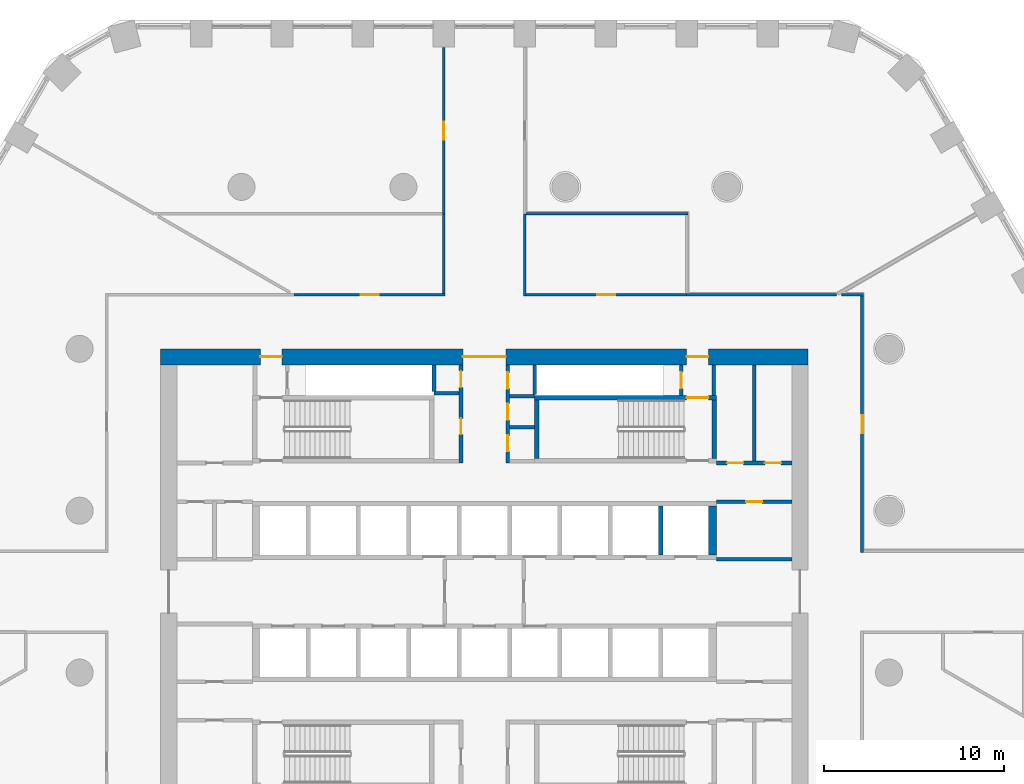
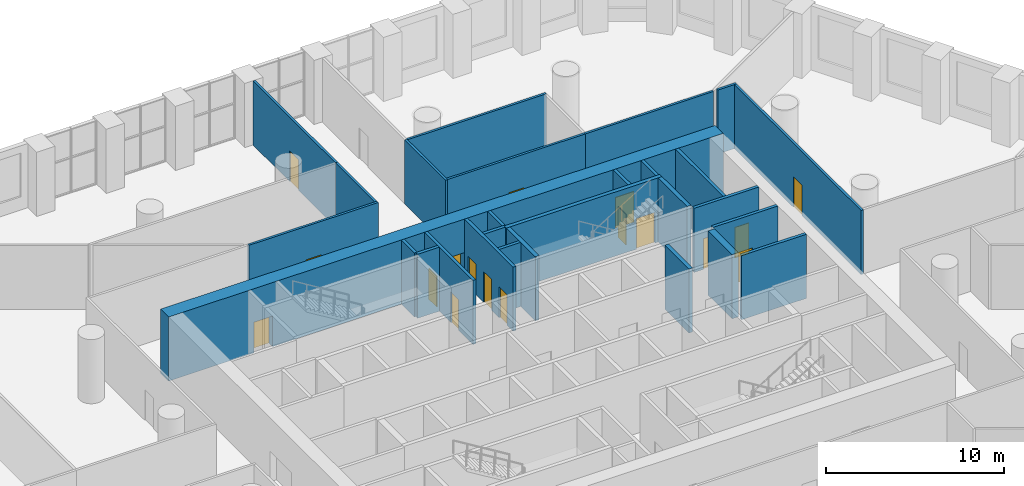
# One storey, part 11 of 26: 28 walls, 17 doors, 17 openings.
"""IFC4 building model written with IfcOpenShell, lengths in metres."""

from ifc_helpers import new_model, si_unit, direction, frame, frame_2d, origin, place, context, subcontext, project, spatial, polyline, rectangle, outline, extrude, material, layer, layer_set, type_object, element, fill, save


model = new_model("IFC4")

# Units and contexts
model_context = context("Model", 3, precision=1e-05, world=origin(), true_north=direction((0.0, 1.0)))
body_context = subcontext(model_context, "Body", "Model", "MODEL_VIEW")
ifc_project = project(units=[si_unit("LENGTHUNIT", "METRE"), si_unit("AREAUNIT", "SQUARE_METRE"), si_unit("VOLUMEUNIT", "CUBIC_METRE"), si_unit("PLANEANGLEUNIT", "RADIAN"), si_unit("MASSUNIT", "GRAM", prefix="KILO")], contexts=[model_context])

# Site, building, storey
site_placement = place(None, origin())
site = spatial("IfcSite", under=ifc_project, at=site_placement, CompositionType="ELEMENT")
building_placement = place(site_placement, origin())
building = spatial("IfcBuilding", under=site, at=building_placement, Name="Dhurran Vertical Campus", CompositionType="ELEMENT")
storey_placement = place(building_placement, frame((0.0, 0.0, 15.60009765625)))
storey = spatial("IfcBuildingStorey", under=building, at=storey_placement, Name="L03", CompositionType="ELEMENT", Elevation=15.60009765625)

# Wall, openings, doors
ifc_material_1 = material(Name="Concrete C60/75", Category="concrete")
ifc_layer_1 = layer(ifc_material_1, 0.89990234375)
ifc_layer_set_1 = layer_set([ifc_layer_1], Name="Concrete C60/75")
wall_type_1 = type_object("IfcWallType", Name="co-CORE-WALL-C0-900", PredefinedType="SHEAR", material=ifc_layer_set_1)
wall_1_placement = place(storey_placement, frame((-18.0, 13.050048828125, 0.0), z_axis=(0.0, 0.0, 1.0), x_axis=(1.0, 0.0, 0.0)))
wall_1 = element("IfcWall", 1, at=wall_1_placement, inside=storey, type_object=wall_type_1, Name="Core wall N L03", PredefinedType="SHEAR", context=body_context, shape_type="SweptSolid", body=[
    extrude(rectangle(XDim=36.0, YDim=0.89990234375, at=frame_2d((18.0, 0.0))), origin(), (0.0, 0.0, 1.0), 4.39990234375),
])
opening_1_placement = place(wall_1_placement, frame((16.800048828125, 0.0, 0.0)))
opening_1 = element("IfcOpeningElement", 2, at=opening_1_placement, cuts=wall_1, Name="Opening CV1", PredefinedType="OPENING", context=body_context, shape_type="SweptSolid", body=[
    extrude(rectangle(XDim=2.39990234375, YDim=2.10009765625, at=frame_2d((1.199951171875, 1.050048828125))), frame((0.0, 0.4599609375, 0.0), z_axis=(0.0, -1.0, 0.0), x_axis=(1.0, 0.0, 0.0)), (0.0, 0.0, 1.0), 0.919921875),
])
opening_2_placement = place(wall_1_placement, frame((5.550048828125, 0.0, 0.0)))
opening_2 = element("IfcOpeningElement", 3, at=opening_2_placement, cuts=wall_1, Name="Opening XD1", PredefinedType="OPENING", context=body_context, shape_type="SweptSolid", body=[
    extrude(rectangle(XDim=1.199951171875, YDim=2.10009765625, at=frame_2d((0.60009765625, 1.050048828125))), frame((0.0, 0.4599609375, 0.0), z_axis=(0.0, -1.0, 0.0), x_axis=(1.0, 0.0, 0.0)), (0.0, 0.0, 1.0), 0.919921875),
])
opening_3_placement = place(wall_1_placement, frame((29.25, 0.0, 0.0)))
opening_3 = element("IfcOpeningElement", 4, at=opening_3_placement, cuts=wall_1, Name="Opening XD2", PredefinedType="OPENING", context=body_context, shape_type="SweptSolid", body=[
    extrude(rectangle(XDim=1.199951171875, YDim=2.10009765625, at=frame_2d((0.60009765625, 1.050048828125))), frame((0.0, 0.4599609375, 0.0), z_axis=(0.0, -1.0, 0.0), x_axis=(1.0, 0.0, 0.0)), (0.0, 0.0, 1.0), 0.919921875),
])
ifc_material_2 = material(Name="Fire-rated glazed door set")
door_type_1 = type_object("IfcDoorType", Name="co-D-LOBBY 2400x2100", OperationType="DOUBLE_DOOR_DOUBLE_SWING", PredefinedType="DOOR", material=ifc_material_2)
door_1_placement = place(opening_1_placement, origin())
door_1 = element("IfcDoor", 5, at=door_1_placement, inside=storey, type_object=door_type_1, Name="Core vestibule door N L03", OperationType="DOUBLE_DOOR_DOUBLE_SWING", OverallHeight=2.10009765625, OverallWidth=2.39990234375, PredefinedType="DOOR", context=body_context, shape_type="SweptSolid", body=[
    extrude(rectangle(XDim=2.39990234375, YDim=2.10009765625, at=frame_2d((1.199951171875, 1.050048828125))), frame((0.0, 0.02490234375, 0.0), z_axis=(0.0, -1.0, 0.0), x_axis=(1.0, 0.0, 0.0)), (0.0, 0.0, 1.0), 0.050048828125),
])
fill(opening_1, door_1)
ifc_material_3 = material(Name="Fire-rated steel door set", Category="steel")
door_type_2 = type_object("IfcDoorType", Name="co-D-STAIR-EXIT 1200x2100", OperationType="SINGLE_SWING_RIGHT", PredefinedType="DOOR", material=ifc_material_3)
door_2_placement = place(opening_2_placement, origin())
door_2 = element("IfcDoor", 6, at=door_2_placement, inside=storey, type_object=door_type_2, Name="Stair ST1 exit door L03", OperationType="SINGLE_SWING_RIGHT", OverallHeight=2.10009765625, OverallWidth=1.199951171875, PredefinedType="DOOR", context=body_context, shape_type="SweptSolid", body=[
    extrude(rectangle(XDim=1.199951171875, YDim=2.10009765625, at=frame_2d((0.60009765625, 1.050048828125))), frame((0.0, 0.02490234375, 0.0), z_axis=(0.0, -1.0, 0.0), x_axis=(1.0, 0.0, 0.0)), (0.0, 0.0, 1.0), 0.050048828125),
])
fill(opening_2, door_2)
door_3_placement = place(opening_3_placement, origin())
door_3 = element("IfcDoor", 7, at=door_3_placement, inside=storey, type_object=door_type_2, Name="Stair ST2 exit door L03", OperationType="SINGLE_SWING_RIGHT", OverallHeight=2.10009765625, OverallWidth=1.199951171875, PredefinedType="DOOR", context=body_context, shape_type="SweptSolid", body=[
    extrude(rectangle(XDim=1.199951171875, YDim=2.10009765625, at=frame_2d((0.60009765625, 1.050048828125))), frame((0.0, 0.02490234375, 0.0), z_axis=(0.0, -1.0, 0.0), x_axis=(1.0, 0.0, 0.0)), (0.0, 0.0, 1.0), 0.050048828125),
])
fill(opening_3, door_3)

# Walls
ifc_material_4 = material(Name="Fire-rated masonry blockwork", Category="masonry")
ifc_layer_2 = layer(ifc_material_4, 0.199951171875)
ifc_layer_set_2 = layer_set([ifc_layer_2], Name="Fire-rated masonry blockwork")
wall_type_2 = type_object("IfcWallType", Name="co-FIRE-PARTITION-200", PredefinedType="PARTITIONING", material=ifc_layer_set_2)
for number, where, z_axis, x_axis, name in (
    (8, (-2.800048828125, 11.02490234375, 0.0), (0.0, 0.0, 1.0), (1.0, 0.0, 0.0), "Core partition sl-NW-cut0 L03"),
    (9, (1.39990234375, 9.135009765625, 0.0), (0.0, 0.0, 1.0), (1.0, 0.0, 0.0), "Core partition sl-NE-cut0 L03"),
    (10, (1.39990234375, 10.867431640625, 0.0), (0.0, 0.0, 1.0), (1.0, 0.0, 0.0), "Core partition sl-NE-cut1 L03"),
):
    element("IfcWall", number, at=place(storey_placement, frame(where, z_axis=z_axis, x_axis=x_axis)), inside=storey, type_object=wall_type_2, Name=name, PredefinedType="PARTITIONING", context=body_context, shape_type="SweptSolid", body=[
        extrude(rectangle(XDim=1.400146484375, YDim=0.199951171875, at=frame_2d((0.7001953125, 0.0))), origin(), (0.0, 0.0, 1.0), 4.39990234375),
    ])

# Wall, openings, doors
wall_2_placement = place(storey_placement, frame((-1.300048828125, 7.14990234375, 0.0), z_axis=(0.0, 0.0, 1.0), x_axis=(0.0, 1.0, 0.0)))
wall_2 = element("IfcWall", 11, at=wall_2_placement, inside=storey, type_object=wall_type_2, Name="Core partition vest-NW L03", PredefinedType="PARTITIONING", context=body_context, shape_type="SweptSolid", body=[
    extrude(rectangle(XDim=5.4501953125, YDim=0.199951171875, at=frame_2d((2.72509765625, 0.0))), origin(), (0.0, 0.0, 1.0), 4.39990234375),
])
opening_4_placement = place(wall_2_placement, frame((1.58740234375, 0.0, 0.0)))
opening_4 = element("IfcOpeningElement", 12, at=opening_4_placement, cuts=wall_2, Name="Opening PD03-C5", PredefinedType="OPENING", context=body_context, shape_type="SweptSolid", body=[
    extrude(rectangle(XDim=0.89990234375, YDim=2.10009765625, at=frame_2d((0.449951171875, 1.050048828125))), frame((0.0, 0.10986328125, 0.0), z_axis=(0.0, -1.0, 0.0), x_axis=(1.0, 0.0, 0.0)), (0.0, 0.0, 1.0), 0.219970703125),
])
opening_5_placement = place(wall_2_placement, frame((4.21240234375, 0.0, 0.0)))
opening_5 = element("IfcOpeningElement", 13, at=opening_5_placement, cuts=wall_2, Name="Opening PD03-C6", PredefinedType="OPENING", context=body_context, shape_type="SweptSolid", body=[
    extrude(rectangle(XDim=0.89990234375, YDim=2.10009765625, at=frame_2d((0.449951171875, 1.050048828125))), frame((0.0, 0.10986328125, 0.0), z_axis=(0.0, -1.0, 0.0), x_axis=(1.0, 0.0, 0.0)), (0.0, 0.0, 1.0), 0.219970703125),
])
ifc_material_5 = material(Name="Fire-rated timber door set", Category="wood")
door_type_3 = type_object("IfcDoorType", Name="co-D-ROOM 900x2100", OperationType="SINGLE_SWING_LEFT", PredefinedType="DOOR", material=ifc_material_5)
door_4_placement = place(opening_4_placement, origin())
door_4 = element("IfcDoor", 14, at=door_4_placement, inside=storey, type_object=door_type_3, Name="Pantry door L03", OperationType="SINGLE_SWING_LEFT", OverallHeight=2.10009765625, OverallWidth=0.89990234375, PredefinedType="DOOR", context=body_context, shape_type="SweptSolid", body=[
    extrude(rectangle(XDim=0.89990234375, YDim=2.10009765625, at=frame_2d((0.449951171875, 1.050048828125))), frame((0.0, 0.02490234375, 0.0), z_axis=(0.0, -1.0, 0.0), x_axis=(1.0, 0.0, 0.0)), (0.0, 0.0, 1.0), 0.050048828125),
])
fill(opening_4, door_4)
door_5_placement = place(opening_5_placement, origin())
door_5 = element("IfcDoor", 15, at=door_5_placement, inside=storey, type_object=door_type_3, Name="Cleaner's store door L03", OperationType="SINGLE_SWING_LEFT", OverallHeight=2.10009765625, OverallWidth=0.89990234375, PredefinedType="DOOR", context=body_context, shape_type="SweptSolid", body=[
    extrude(rectangle(XDim=0.89990234375, YDim=2.10009765625, at=frame_2d((0.449951171875, 1.050048828125))), frame((0.0, 0.02490234375, 0.0), z_axis=(0.0, -1.0, 0.0), x_axis=(1.0, 0.0, 0.0)), (0.0, 0.0, 1.0), 0.050048828125),
])
fill(opening_5, door_5)

wall_3_placement = place(storey_placement, frame((1.300048828125, 7.14990234375, 0.0), z_axis=(0.0, 0.0, 1.0), x_axis=(0.0, 1.0, 0.0)))
wall_3 = element("IfcWall", 16, at=wall_3_placement, inside=storey, type_object=wall_type_2, Name="Core partition vest-NE L03", PredefinedType="PARTITIONING", context=body_context, shape_type="SweptSolid", body=[
    extrude(rectangle(XDim=5.4501953125, YDim=0.199951171875, at=frame_2d((2.72509765625, 0.0))), origin(), (0.0, 0.0, 1.0), 4.39990234375),
])
opening_6_placement = place(wall_3_placement, frame((0.642578125, 0.0, 0.0)))
opening_6 = element("IfcOpeningElement", 17, at=opening_6_placement, cuts=wall_3, Name="Opening PD03-C7", PredefinedType="OPENING", context=body_context, shape_type="SweptSolid", body=[
    extrude(rectangle(XDim=0.89990234375, YDim=2.10009765625, at=frame_2d((0.449951171875, 1.050048828125))), frame((0.0, 0.10986328125, 0.0), z_axis=(0.0, -1.0, 0.0), x_axis=(1.0, 0.0, 0.0)), (0.0, 0.0, 1.0), 0.219970703125),
])
opening_7_placement = place(wall_3_placement, frame((2.401123046875, 0.0, 0.0)))
opening_7 = element("IfcOpeningElement", 18, at=opening_7_placement, cuts=wall_3, Name="Opening PD03-C8", PredefinedType="OPENING", context=body_context, shape_type="SweptSolid", body=[
    extrude(rectangle(XDim=0.89990234375, YDim=2.10009765625, at=frame_2d((0.449951171875, 1.050048828125))), frame((0.0, 0.10986328125, 0.0), z_axis=(0.0, -1.0, 0.0), x_axis=(1.0, 0.0, 0.0)), (0.0, 0.0, 1.0), 0.219970703125),
])
opening_8_placement = place(wall_3_placement, frame((4.1337890625, 0.0, 0.0)))
opening_8 = element("IfcOpeningElement", 19, at=opening_8_placement, cuts=wall_3, Name="Opening PD03-C9", PredefinedType="OPENING", context=body_context, shape_type="SweptSolid", body=[
    extrude(rectangle(XDim=0.89990234375, YDim=2.10009765625, at=frame_2d((0.449951171875, 1.050048828125))), frame((0.0, 0.10986328125, 0.0), z_axis=(0.0, -1.0, 0.0), x_axis=(1.0, 0.0, 0.0)), (0.0, 0.0, 1.0), 0.219970703125),
])
door_6_placement = place(opening_6_placement, origin())
door_6 = element("IfcDoor", 20, at=door_6_placement, inside=storey, type_object=door_type_3, Name="Housekeeping store door L03", OperationType="SINGLE_SWING_LEFT", OverallHeight=2.10009765625, OverallWidth=0.89990234375, PredefinedType="DOOR", context=body_context, shape_type="SweptSolid", body=[
    extrude(rectangle(XDim=0.89990234375, YDim=2.10009765625, at=frame_2d((0.449951171875, 1.050048828125))), frame((0.0, 0.02490234375, 0.0), z_axis=(0.0, -1.0, 0.0), x_axis=(1.0, 0.0, 0.0)), (0.0, 0.0, 1.0), 0.050048828125),
])
fill(opening_6, door_6)
door_7_placement = place(opening_7_placement, origin())
door_7 = element("IfcDoor", 21, at=door_7_placement, inside=storey, type_object=door_type_3, Name="Fire equipment store door L03", OperationType="SINGLE_SWING_LEFT", OverallHeight=2.10009765625, OverallWidth=0.89990234375, PredefinedType="DOOR", context=body_context, shape_type="SweptSolid", body=[
    extrude(rectangle(XDim=0.89990234375, YDim=2.10009765625, at=frame_2d((0.449951171875, 1.050048828125))), frame((0.0, 0.02490234375, 0.0), z_axis=(0.0, -1.0, 0.0), x_axis=(1.0, 0.0, 0.0)), (0.0, 0.0, 1.0), 0.050048828125),
])
fill(opening_7, door_7)
door_8_placement = place(opening_8_placement, origin())
door_8 = element("IfcDoor", 22, at=door_8_placement, inside=storey, type_object=door_type_3, Name="Water riser door L03", OperationType="SINGLE_SWING_LEFT", OverallHeight=2.10009765625, OverallWidth=0.89990234375, PredefinedType="DOOR", context=body_context, shape_type="SweptSolid", body=[
    extrude(rectangle(XDim=0.89990234375, YDim=2.10009765625, at=frame_2d((0.449951171875, 1.050048828125))), frame((0.0, 0.02490234375, 0.0), z_axis=(0.0, -1.0, 0.0), x_axis=(1.0, 0.0, 0.0)), (0.0, 0.0, 1.0), 0.050048828125),
])
fill(opening_8, door_8)

# Wall
wall_4_placement = place(storey_placement, frame((12.75, 10.89990234375, 0.0), z_axis=(0.0, 0.0, 1.0), x_axis=(0.0, 1.0, 0.0)))
element("IfcWall", 23, at=wall_4_placement, inside=storey, type_object=wall_type_2, Name="Core partition pass-ST2-o L03", PredefinedType="PARTITIONING", context=body_context, shape_type="SweptSolid", body=[
    extrude(rectangle(XDim=1.7001953125, YDim=0.199951171875, at=frame_2d((0.85009765625, 0.0))), origin(), (0.0, 0.0, 1.0), 4.39990234375),
])

# Wall, opening, door
wall_5_placement = place(storey_placement, frame((10.949951171875, 10.89990234375, 0.0), z_axis=(0.0, 0.0, 1.0), x_axis=(0.0, 1.0, 0.0)))
wall_5 = element("IfcWall", 24, at=wall_5_placement, inside=storey, type_object=wall_type_2, Name="Core partition pass-ST2-i L03", PredefinedType="PARTITIONING", context=body_context, shape_type="SweptSolid", body=[
    extrude(rectangle(XDim=1.7001953125, YDim=0.199951171875, at=frame_2d((0.85009765625, 0.0))), origin(), (0.0, 0.0, 1.0), 4.39990234375),
])
opening_9_placement = place(wall_5_placement, frame((0.39990234375, 0.0, 0.0)))
opening_9 = element("IfcOpeningElement", 25, at=opening_9_placement, cuts=wall_5, Name="Opening PD03-C11", PredefinedType="OPENING", context=body_context, shape_type="SweptSolid", body=[
    extrude(rectangle(XDim=0.89990234375, YDim=2.10009765625, at=frame_2d((0.449951171875, 1.050048828125))), frame((0.0, 0.10986328125, 0.0), z_axis=(0.0, -1.0, 0.0), x_axis=(1.0, 0.0, 0.0)), (0.0, 0.0, 1.0), 0.219970703125),
])
door_9_placement = place(opening_9_placement, origin())
door_9 = element("IfcDoor", 26, at=door_9_placement, inside=storey, type_object=door_type_3, Name="Riser room door L03", OperationType="SINGLE_SWING_LEFT", OverallHeight=2.10009765625, OverallWidth=0.89990234375, PredefinedType="DOOR", context=body_context, shape_type="SweptSolid", body=[
    extrude(rectangle(XDim=0.89990234375, YDim=2.10009765625, at=frame_2d((0.449951171875, 1.050048828125))), frame((0.0, 0.02490234375, 0.0), z_axis=(0.0, -1.0, 0.0), x_axis=(1.0, 0.0, 0.0)), (0.0, 0.0, 1.0), 0.050048828125),
])
fill(opening_9, door_9)

# Wall
wall_6_placement = place(storey_placement, frame((15.0, 7.14990234375, 0.0), z_axis=(0.0, 0.0, 1.0), x_axis=(0.0, 1.0, 0.0)))
element("IfcWall", 27, at=wall_6_placement, inside=storey, type_object=wall_type_2, Name="Core partition en-NE-cut0 L03", PredefinedType="PARTITIONING", context=body_context, shape_type="SweptSolid", body=[
    extrude(rectangle(XDim=5.4501953125, YDim=0.199951171875, at=frame_2d((2.72509765625, 0.0))), origin(), (0.0, 0.0, 1.0), 4.39990234375),
])

# Wall, openings, doors
wall_7_placement = place(storey_placement, frame((12.89990234375, 7.14990234375, 0.0), z_axis=(0.0, 0.0, 1.0), x_axis=(1.0, 0.0, 0.0)))
wall_7 = element("IfcWall", 28, at=wall_7_placement, inside=storey, type_object=wall_type_2, Name="Core partition en-NE-w L03", PredefinedType="PARTITIONING", context=body_context, shape_type="SweptSolid", body=[
    extrude(rectangle(XDim=4.2001953125, YDim=0.199951171875, at=frame_2d((2.10009765625, 0.0))), origin(), (0.0, 0.0, 1.0), 4.39990234375),
])
opening_10_placement = place(wall_7_placement, frame((0.60009765625, 0.0, 0.0)))
opening_10 = element("IfcOpeningElement", 29, at=opening_10_placement, cuts=wall_7, Name="Opening PD03-C17", PredefinedType="OPENING", context=body_context, shape_type="SweptSolid", body=[
    extrude(rectangle(XDim=0.89990234375, YDim=2.10009765625, at=frame_2d((0.449951171875, 1.050048828125))), frame((0.0, 0.10986328125, 0.0), z_axis=(0.0, -1.0, 0.0), x_axis=(1.0, 0.0, 0.0)), (0.0, 0.0, 1.0), 0.219970703125),
])
opening_11_placement = place(wall_7_placement, frame((2.699951171875, 0.0, 0.0)))
opening_11 = element("IfcOpeningElement", 30, at=opening_11_placement, cuts=wall_7, Name="Opening PD03-C18", PredefinedType="OPENING", context=body_context, shape_type="SweptSolid", body=[
    extrude(rectangle(XDim=0.89990234375, YDim=2.10009765625, at=frame_2d((0.449951171875, 1.050048828125))), frame((0.0, 0.10986328125, 0.0), z_axis=(0.0, -1.0, 0.0), x_axis=(1.0, 0.0, 0.0)), (0.0, 0.0, 1.0), 0.219970703125),
])
door_10_placement = place(opening_10_placement, origin())
door_10 = element("IfcDoor", 31, at=door_10_placement, inside=storey, type_object=door_type_3, Name="Store door L03", OperationType="SINGLE_SWING_LEFT", OverallHeight=2.10009765625, OverallWidth=0.89990234375, PredefinedType="DOOR", context=body_context, shape_type="SweptSolid", body=[
    extrude(rectangle(XDim=0.89990234375, YDim=2.10009765625, at=frame_2d((0.449951171875, 1.050048828125))), frame((0.0, 0.02490234375, 0.0), z_axis=(0.0, -1.0, 0.0), x_axis=(1.0, 0.0, 0.0)), (0.0, 0.0, 1.0), 0.050048828125),
])
fill(opening_10, door_10)
door_11_placement = place(opening_11_placement, origin())
door_11 = element("IfcDoor", 32, at=door_11_placement, inside=storey, type_object=door_type_3, Name="Fire equipment store door L03", OperationType="SINGLE_SWING_LEFT", OverallHeight=2.10009765625, OverallWidth=0.89990234375, PredefinedType="DOOR", context=body_context, shape_type="SweptSolid", body=[
    extrude(rectangle(XDim=0.89990234375, YDim=2.10009765625, at=frame_2d((0.449951171875, 1.050048828125))), frame((0.0, 0.02490234375, 0.0), z_axis=(0.0, -1.0, 0.0), x_axis=(1.0, 0.0, 0.0)), (0.0, 0.0, 1.0), 0.050048828125),
])
fill(opening_11, door_11)

# Wall, opening, door
wall_8_placement = place(storey_placement, frame((12.89990234375, 5.0, 0.0), z_axis=(0.0, 0.0, 1.0), x_axis=(1.0, 0.0, 0.0)))
wall_8 = element("IfcWall", 33, at=wall_8_placement, inside=storey, type_object=wall_type_2, Name="Core partition es-NE-w L03", PredefinedType="PARTITIONING", context=body_context, shape_type="SweptSolid", body=[
    extrude(rectangle(XDim=4.2001953125, YDim=0.199951171875, at=frame_2d((2.10009765625, 0.0))), origin(), (0.0, 0.0, 1.0), 4.39990234375),
])
opening_12_placement = place(wall_8_placement, frame((1.64990234375, 0.0, 0.0)))
opening_12 = element("IfcOpeningElement", 34, at=opening_12_placement, cuts=wall_8, Name="Opening PD03-C19", PredefinedType="OPENING", context=body_context, shape_type="SweptSolid", body=[
    extrude(rectangle(XDim=0.89990234375, YDim=2.10009765625, at=frame_2d((0.449951171875, 1.050048828125))), frame((0.0, 0.10986328125, 0.0), z_axis=(0.0, -1.0, 0.0), x_axis=(1.0, 0.0, 0.0)), (0.0, 0.0, 1.0), 0.219970703125),
])
door_12_placement = place(opening_12_placement, origin())
door_12 = element("IfcDoor", 35, at=door_12_placement, inside=storey, type_object=door_type_3, Name="Waste room door L03", OperationType="SINGLE_SWING_LEFT", OverallHeight=2.10009765625, OverallWidth=0.89990234375, PredefinedType="DOOR", context=body_context, shape_type="SweptSolid", body=[
    extrude(rectangle(XDim=0.89990234375, YDim=2.10009765625, at=frame_2d((0.449951171875, 1.050048828125))), frame((0.0, 0.02490234375, 0.0), z_axis=(0.0, -1.0, 0.0), x_axis=(1.0, 0.0, 0.0)), (0.0, 0.0, 1.0), 0.050048828125),
])
fill(opening_12, door_12)

# Walls
wall_9_placement = place(storey_placement, frame((12.89990234375, 1.800048828125, 0.0), z_axis=(0.0, 0.0, 1.0), x_axis=(1.0, 0.0, 0.0)))
element("IfcWall", 36, at=wall_9_placement, inside=storey, type_object=wall_type_2, Name="Core partition es-NE-l L03", PredefinedType="PARTITIONING", context=body_context, shape_type="SweptSolid", body=[
    extrude(rectangle(XDim=4.2001953125, YDim=0.199951171875, at=frame_2d((2.10009765625, 0.0))), origin(), (0.0, 0.0, 1.0), 4.39990234375),
])
wall_10_placement = place(storey_placement, frame((-2.800048828125, 11.1259765625, 0.0), z_axis=(0.0, 0.0, 1.0), x_axis=(0.0, 1.0, 0.0)))
element("IfcWall", 37, at=wall_10_placement, inside=storey, type_object=wall_type_2, Name="Riser enclosure wall L03", PredefinedType="PARTITIONING", context=body_context, shape_type="SweptSolid", body=[
    extrude(rectangle(XDim=1.47314453125, YDim=0.199951171875, at=frame_2d((0.736572265625, 0.0))), origin(), (0.0, 0.0, 1.0), 4.39990234375),
])
wall_11_placement = place(storey_placement, frame((2.800048828125, 10.968505859375, 0.0), z_axis=(0.0, 0.0, 1.0), x_axis=(0.0, 1.0, 0.0)))
element("IfcWall", 38, at=wall_11_placement, inside=storey, type_object=wall_type_2, Name="Riser enclosure wall L03", PredefinedType="PARTITIONING", context=body_context, shape_type="SweptSolid", body=[
    extrude(rectangle(XDim=1.630615234375, YDim=0.199951171875, at=frame_2d((0.8154296875, 0.0))), origin(), (0.0, 0.0, 1.0), 4.39990234375),
])
ifc_material_6 = material(Name="Concrete C50/60", Category="concrete")
ifc_layer_3 = layer(ifc_material_6, 0.25)
ifc_layer_set_3 = layer_set([ifc_layer_3], Name="Concrete C50/60")
wall_type_3 = type_object("IfcWallType", Name="co-SHAFT-MASS-250", PredefinedType="SHEAR", material=ifc_layer_set_3)
wall_12_placement = place(storey_placement, origin())
element("IfcWall", 39, at=wall_12_placement, inside=storey, type_object=wall_type_3, Name="Lift shaft wall N L03 10", PredefinedType="SHEAR", context=body_context, shape_type="SweptSolid", body=[
    extrude(outline(polyline([(9.675048828125, 2.050048828125), (9.925048828125, 2.050048828125), (9.925048828125, 4.75), (9.675048828125, 4.75), (9.675048828125, 2.050048828125)])), origin(), (0.0, 0.0, 1.0), 4.39990234375),
])
wall_13_placement = place(storey_placement, origin())
element("IfcWall", 40, at=wall_13_placement, inside=storey, type_object=wall_type_3, Name="Lift shaft wall N L03 11", PredefinedType="SHEAR", context=body_context, shape_type="SweptSolid", body=[
    extrude(outline(polyline([(12.47509765625, 2.050048828125), (12.89990234375, 2.050048828125), (12.89990234375, 4.75), (12.47509765625, 4.75), (12.47509765625, 2.050048828125)])), origin(), (0.0, 0.0, 1.0), 4.39990234375),
])

# Wall, opening, door
ifc_material_7 = material(Name="Concrete C40/50", Category="concrete")
ifc_layer_4 = layer(ifc_material_7, 0.25)
ifc_layer_set_4 = layer_set([ifc_layer_4], Name="Concrete C40/50")
wall_type_4 = type_object("IfcWallType", Name="co-STAIR-WALL-250", PredefinedType="SHEAR", material=ifc_layer_set_4)
wall_14_placement = place(storey_placement, frame((2.800048828125, 10.77490234375, 0.0), z_axis=(0.0, 0.0, 1.0), x_axis=(1.0, 0.0, 0.0)))
wall_14 = element("IfcWall", 41, at=wall_14_placement, inside=storey, type_object=wall_type_4, Name="Stair ST2 enclosure wall L03", PredefinedType="SHEAR", context=body_context, shape_type="SweptSolid", body=[
    extrude(rectangle(XDim=10.099853515625, YDim=0.25, at=frame_2d((5.0498046875, 0.0))), origin(), (0.0, 0.0, 1.0), 4.39990234375),
])
opening_13_placement = place(wall_14_placement, frame((8.449951171875, 0.0, 0.0)))
opening_13 = element("IfcOpeningElement", 42, at=opening_13_placement, cuts=wall_14, Name="Opening XS2", PredefinedType="OPENING", context=body_context, shape_type="SweptSolid", body=[
    extrude(rectangle(XDim=1.199951171875, YDim=2.10009765625, at=frame_2d((0.60009765625, 1.050048828125))), frame((0.0, 0.135009765625, 0.0), z_axis=(0.0, -1.0, 0.0), x_axis=(1.0, 0.0, 0.0)), (0.0, 0.0, 1.0), 0.27001953125),
])
door_13_placement = place(opening_13_placement, origin())
door_13 = element("IfcDoor", 43, at=door_13_placement, inside=storey, type_object=door_type_2, Name="Stair ST2 discharge door L03", OperationType="SINGLE_SWING_RIGHT", OverallHeight=2.10009765625, OverallWidth=1.199951171875, PredefinedType="DOOR", context=body_context, shape_type="SweptSolid", body=[
    extrude(rectangle(XDim=1.199951171875, YDim=2.10009765625, at=frame_2d((0.60009765625, 1.050048828125))), frame((0.0, 0.02490234375, 0.0), z_axis=(0.0, -1.0, 0.0), x_axis=(1.0, 0.0, 0.0)), (0.0, 0.0, 1.0), 0.050048828125),
])
fill(opening_13, door_13)

# Walls
for number, where, z_axis, x_axis, name in (
    (44, (2.925048828125, 7.39990234375, 0.0), (0.0, 0.0, 1.0), (0.0, 1.0, 0.0), "Stair ST2 enclosure wall L03"),
    (45, (12.77490234375, 7.39990234375, 0.0), (0.0, 0.0, 1.0), (0.0, 1.0, 0.0), "Stair ST2 enclosure wall L03"),
):
    element("IfcWall", number, at=place(storey_placement, frame(where, z_axis=z_axis, x_axis=x_axis)), inside=storey, type_object=wall_type_4, Name=name, PredefinedType="SHEAR", context=body_context, shape_type="SweptSolid", body=[
        extrude(rectangle(XDim=3.25, YDim=0.25, at=frame_2d((1.625, 0.0))), origin(), (0.0, 0.0, 1.0), 4.39990234375),
    ])

# Wall, opening, door
ifc_material_8 = material(Name="Gypsum board corridor wall on steel studs", Category="steel")
ifc_layer_5 = layer(ifc_material_8, 0.14990234375)
ifc_layer_set_5 = layer_set([ifc_layer_5], Name="Gypsum board corridor wall on steel studs")
wall_type_5 = type_object("IfcWallType", Name="fl-CW-150 corridor wall", PredefinedType="PARTITIONING", material=ifc_layer_set_5)
wall_15_placement = place(storey_placement, frame((-2.175048828125, 16.5, 0.0), z_axis=(0.0, 0.0, 1.0), x_axis=(-1.0, 0.0, 0.0)))
wall_15 = element("IfcWall", 46, at=wall_15_placement, inside=storey, type_object=wall_type_5, Name="Partition 03-23", PredefinedType="PARTITIONING", context=body_context, shape_type="SweptSolid", body=[
    extrude(rectangle(XDim=8.404052734375, YDim=0.14990234375, at=frame_2d((4.2021484375, 0.0))), origin(), (0.0, 0.0, 1.0), 4.39990234375),
])
opening_14_placement = place(wall_15_placement, frame((3.701904296875, 0.0, 0.0)))
opening_14 = element("IfcOpeningElement", 47, at=opening_14_placement, cuts=wall_15, Name="Opening PD03.09", PredefinedType="OPENING", context=body_context, shape_type="SweptSolid", body=[
    extrude(rectangle(XDim=1.0, YDim=2.10009765625, at=frame_2d((0.5, 1.050048828125))), frame((0.0, 0.0849609375, 0.0), z_axis=(0.0, -1.0, 0.0), x_axis=(1.0, 0.0, 0.0)), (0.0, 0.0, 1.0), 0.169921875),
])
ifc_material_9 = material(Name="Solid-core timber door set, fire-rated", Category="wood")
door_type_4 = type_object("IfcDoorType", Name="fl-D-1000x2100", OperationType="SINGLE_SWING_LEFT", PredefinedType="DOOR", material=ifc_material_9)
door_14_placement = place(opening_14_placement, origin())
door_14 = element("IfcDoor", 48, at=door_14_placement, inside=storey, type_object=door_type_4, Name="Door 03.09", OperationType="SINGLE_SWING_LEFT", OverallHeight=2.10009765625, OverallWidth=1.0, PredefinedType="DOOR", context=body_context, shape_type="SweptSolid", body=[
    extrude(rectangle(XDim=1.0, YDim=2.10009765625, at=frame_2d((0.5, 1.050048828125))), frame((0.0, 0.02490234375, 0.0), z_axis=(0.0, -1.0, 0.0), x_axis=(1.0, 0.0, 0.0)), (0.0, 0.0, 1.0), 0.050048828125),
])
fill(opening_14, door_14)

# Wall
wall_16_placement = place(storey_placement, frame((-2.25, 16.574951171875, 0.0), z_axis=(0.0, 0.0, 1.0), x_axis=(0.0, 1.0, 0.0)))
element("IfcWall", 49, at=wall_16_placement, inside=storey, type_object=wall_type_5, Name="Partition 03-26", PredefinedType="PARTITIONING", context=body_context, shape_type="SweptSolid", body=[
    extrude(rectangle(XDim=4.425048828125, YDim=0.14990234375, at=frame_2d((2.21240234375, 0.0))), origin(), (0.0, 0.0, 1.0), 4.39990234375),
])

# Wall, opening, door
wall_17_placement = place(storey_placement, frame((-2.25, 21.0, 0.0), z_axis=(0.0, 0.0, 1.0), x_axis=(0.0, 1.0, 0.0)))
wall_17 = element("IfcWall", 50, at=wall_17_placement, inside=storey, type_object=wall_type_5, Name="Partition 03-27", PredefinedType="PARTITIONING", context=body_context, shape_type="SweptSolid", body=[
    extrude(rectangle(XDim=9.259765625, YDim=0.14990234375, at=frame_2d((4.6298828125, 0.0))), origin(), (0.0, 0.0, 1.0), 4.39990234375),
])
opening_15_placement = place(wall_17_placement, frame((4.1298828125, 0.0, 0.0)))
opening_15 = element("IfcOpeningElement", 51, at=opening_15_placement, cuts=wall_17, Name="Opening PD03.07", PredefinedType="OPENING", context=body_context, shape_type="SweptSolid", body=[
    extrude(rectangle(XDim=1.0, YDim=2.10009765625, at=frame_2d((0.5, 1.050048828125))), frame((0.0, 0.0849609375, 0.0), z_axis=(0.0, -1.0, 0.0), x_axis=(1.0, 0.0, 0.0)), (0.0, 0.0, 1.0), 0.169921875),
])
door_15_placement = place(opening_15_placement, origin())
door_15 = element("IfcDoor", 52, at=door_15_placement, inside=storey, type_object=door_type_4, Name="Door 03.07", OperationType="SINGLE_SWING_LEFT", OverallHeight=2.10009765625, OverallWidth=1.0, PredefinedType="DOOR", context=body_context, shape_type="SweptSolid", body=[
    extrude(rectangle(XDim=1.0, YDim=2.10009765625, at=frame_2d((0.5, 1.050048828125))), frame((0.0, 0.02490234375, 0.0), z_axis=(0.0, -1.0, 0.0), x_axis=(1.0, 0.0, 0.0)), (0.0, 0.0, 1.0), 0.050048828125),
])
fill(opening_15, door_15)

# Wall
wall_18_placement = place(storey_placement, frame((2.25, 21.0, 0.0), z_axis=(0.0, 0.0, 1.0), x_axis=(0.0, -1.0, 0.0)))
element("IfcWall", 53, at=wall_18_placement, inside=storey, type_object=wall_type_5, Name="Partition 03-28", PredefinedType="PARTITIONING", context=body_context, shape_type="SweptSolid", body=[
    extrude(rectangle(XDim=4.574951171875, YDim=0.14990234375, at=frame_2d((2.28759765625, 0.0))), origin(), (0.0, 0.0, 1.0), 4.39990234375),
])

# Wall, opening, door
wall_19_placement = place(storey_placement, frame((11.25, 16.5, 0.0), z_axis=(0.0, 0.0, 1.0), x_axis=(-1.0, 0.0, 0.0)))
wall_19 = element("IfcWall", 54, at=wall_19_placement, inside=storey, type_object=wall_type_5, Name="Partition 03-29", PredefinedType="PARTITIONING", context=body_context, shape_type="SweptSolid", body=[
    extrude(rectangle(XDim=8.925048828125, YDim=0.14990234375, at=frame_2d((4.46240234375, 0.0))), origin(), (0.0, 0.0, 1.0), 4.39990234375),
])
opening_16_placement = place(wall_19_placement, frame((3.96240234375, 0.0, 0.0)))
opening_16 = element("IfcOpeningElement", 55, at=opening_16_placement, cuts=wall_19, Name="Opening PD03.10", PredefinedType="OPENING", context=body_context, shape_type="SweptSolid", body=[
    extrude(rectangle(XDim=1.0, YDim=2.10009765625, at=frame_2d((0.5, 1.050048828125))), frame((0.0, 0.0849609375, 0.0), z_axis=(0.0, -1.0, 0.0), x_axis=(1.0, 0.0, 0.0)), (0.0, 0.0, 1.0), 0.169921875),
])
door_16_placement = place(opening_16_placement, origin())
door_16 = element("IfcDoor", 56, at=door_16_placement, inside=storey, type_object=door_type_4, Name="Door 03.10", OperationType="SINGLE_SWING_RIGHT", OverallHeight=2.10009765625, OverallWidth=1.0, PredefinedType="DOOR", context=body_context, shape_type="SweptSolid", body=[
    extrude(rectangle(XDim=1.0, YDim=2.10009765625, at=frame_2d((0.5, 1.050048828125))), frame((0.0, 0.02490234375, 0.0), z_axis=(0.0, -1.0, 0.0), x_axis=(1.0, 0.0, 0.0)), (0.0, 0.0, 1.0), 0.050048828125),
])
fill(opening_16, door_16)

# Walls
wall_20_placement = place(storey_placement, frame((19.5791015625, 16.5, 0.0), z_axis=(0.0, 0.0, 1.0), x_axis=(-1.0, 0.0, 0.0)))
element("IfcWall", 57, at=wall_20_placement, inside=storey, type_object=wall_type_5, Name="Partition 03-33", PredefinedType="PARTITIONING", context=body_context, shape_type="SweptSolid", body=[
    extrude(rectangle(XDim=8.3291015625, YDim=0.14990234375, at=frame_2d((4.16455078125, 0.0))), origin(), (0.0, 0.0, 1.0), 4.39990234375),
])
wall_21_placement = place(storey_placement, frame((21.074951171875, 16.5, 0.0), z_axis=(0.0, 0.0, 1.0), x_axis=(-1.0, 0.0, 0.0)))
element("IfcWall", 58, at=wall_21_placement, inside=storey, type_object=wall_type_5, Name="Partition 03-37", PredefinedType="PARTITIONING", context=body_context, shape_type="SweptSolid", body=[
    extrude(rectangle(XDim=1.220947265625, YDim=0.14990234375, at=frame_2d((0.6103515625, 0.0))), origin(), (0.0, 0.0, 1.0), 4.39990234375),
])

# Wall, opening, door
wall_22_placement = place(storey_placement, frame((21.0, 2.175048828125, 0.0), z_axis=(0.0, 0.0, 1.0), x_axis=(0.0, 1.0, 0.0)))
wall_22 = element("IfcWall", 59, at=wall_22_placement, inside=storey, type_object=wall_type_5, Name="Partition 03-41", PredefinedType="PARTITIONING", context=body_context, shape_type="SweptSolid", body=[
    extrude(rectangle(XDim=14.25, YDim=0.14990234375, at=frame_2d((7.125, 0.0))), origin(), (0.0, 0.0, 1.0), 4.39990234375),
])
opening_17_placement = place(wall_22_placement, frame((6.625, 0.0, 0.0)))
opening_17 = element("IfcOpeningElement", 60, at=opening_17_placement, cuts=wall_22, Name="Opening PD03.14", PredefinedType="OPENING", context=body_context, shape_type="SweptSolid", body=[
    extrude(rectangle(XDim=1.0, YDim=2.10009765625, at=frame_2d((0.5, 1.050048828125))), frame((0.0, 0.0849609375, 0.0), z_axis=(0.0, -1.0, 0.0), x_axis=(1.0, 0.0, 0.0)), (0.0, 0.0, 1.0), 0.169921875),
])
door_17_placement = place(opening_17_placement, origin())
door_17 = element("IfcDoor", 61, at=door_17_placement, inside=storey, type_object=door_type_4, Name="Door 03.14", OperationType="SINGLE_SWING_LEFT", OverallHeight=2.10009765625, OverallWidth=1.0, PredefinedType="DOOR", context=body_context, shape_type="SweptSolid", body=[
    extrude(rectangle(XDim=1.0, YDim=2.10009765625, at=frame_2d((0.5, 1.050048828125))), frame((0.0, 0.02490234375, 0.0), z_axis=(0.0, -1.0, 0.0), x_axis=(1.0, 0.0, 0.0)), (0.0, 0.0, 1.0), 0.050048828125),
])
fill(opening_17, door_17)

# Wall
ifc_material_10 = material(Name="Gypsum board partition on steel studs", Category="steel")
ifc_layer_6 = layer(ifc_material_10, 0.14990234375)
ifc_layer_set_6 = layer_set([ifc_layer_6], Name="Gypsum board partition on steel studs")
wall_type_6 = type_object("IfcWallType", Name="fl-PW-150 fixed partition", PredefinedType="PARTITIONING", material=ifc_layer_set_6)
wall_23_placement = place(storey_placement, frame((2.324951171875, 21.0, 0.0), z_axis=(0.0, 0.0, 1.0), x_axis=(1.0, 0.0, 0.0)))
element("IfcWall", 62, at=wall_23_placement, inside=storey, type_object=wall_type_6, Name="Partition 03-31", PredefinedType="PARTITIONING", context=body_context, shape_type="SweptSolid", body=[
    extrude(rectangle(XDim=9.0, YDim=0.14990234375, at=frame_2d((4.5, 0.0))), origin(), (0.0, 0.0, 1.0), 4.39990234375),
])

save(model, "model.ifc")
